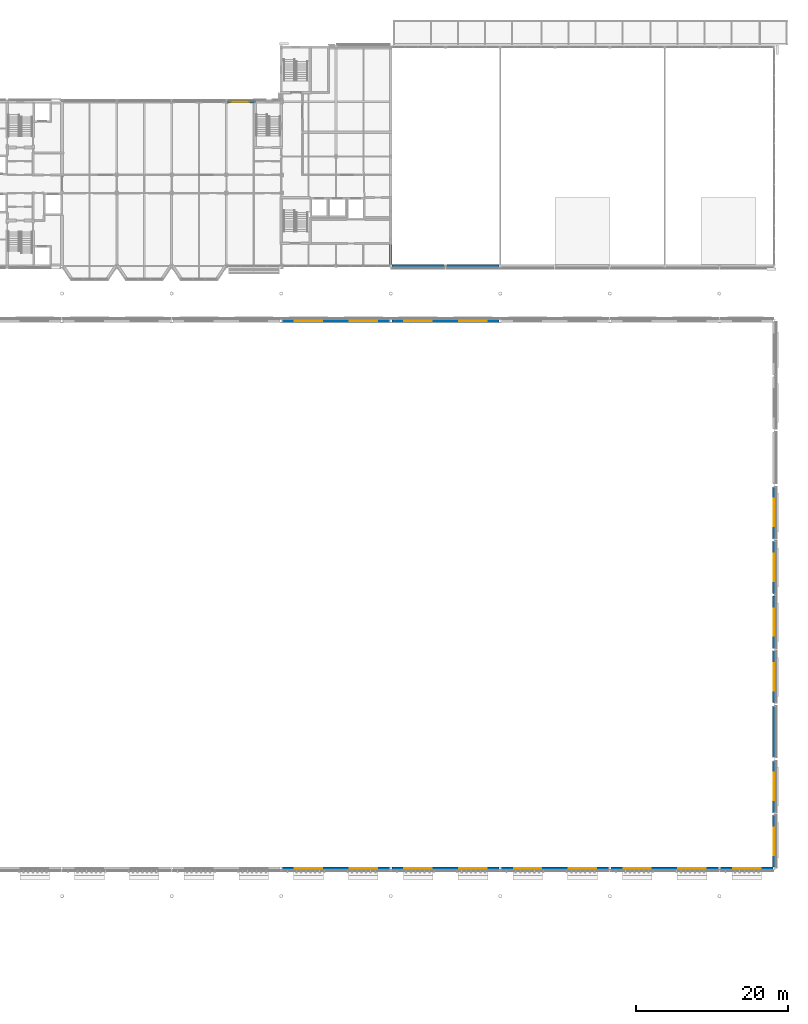
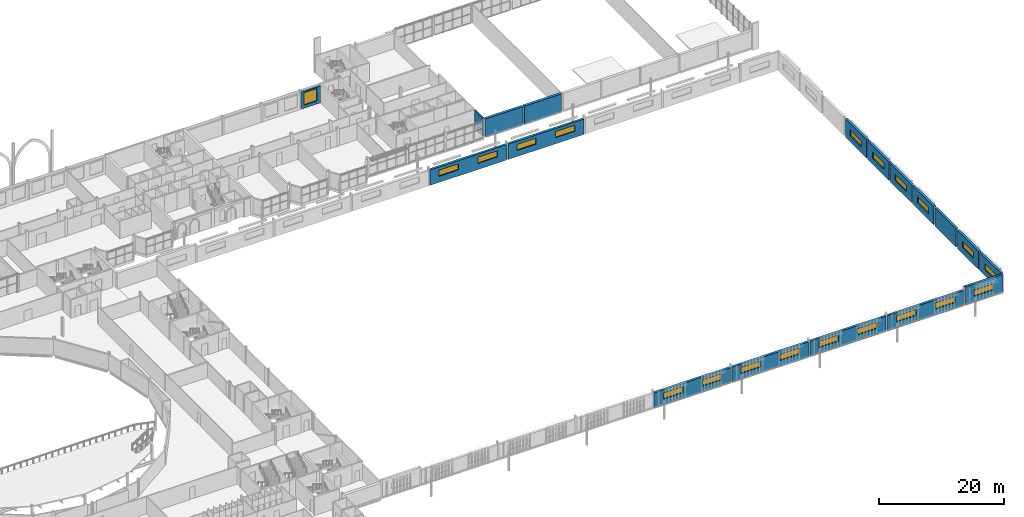
# One storey, part 77 of 124: 20 windows, 18 walls, 20 openings.
"""IFC4 building model written with IfcOpenShell, lengths in metres."""

from ifc_helpers import new_model, si_unit, direction, frame, frame_2d, origin, place, context, subcontext, project, spatial, rectangle, extrude, material, layer, layer_set, type_object, element, fill, save


model = new_model("IFC4")

# Units and contexts
model_context = context("Model", 3, precision=1e-05, world=origin(), true_north=direction((0.0, 1.0)))
body_context = subcontext(model_context, "Body", "Model", "MODEL_VIEW")
ifc_project = project(units=[si_unit("LENGTHUNIT", "METRE"), si_unit("AREAUNIT", "SQUARE_METRE"), si_unit("VOLUMEUNIT", "CUBIC_METRE"), si_unit("PLANEANGLEUNIT", "RADIAN"), si_unit("MASSUNIT", "GRAM", prefix="KILO")], contexts=[model_context])

# Site, building, storey
site_placement = place(None, origin())
site = spatial("IfcSite", under=ifc_project, at=site_placement, CompositionType="ELEMENT")
building_placement = place(site_placement, origin())
building = spatial("IfcBuilding", under=site, at=building_placement, Name="Kupolbacken Congress Centre", CompositionType="ELEMENT")
storey_placement = place(building_placement, frame((0.0, 0.0, 10.800048828125)))
storey = spatial("IfcBuildingStorey", under=building, at=storey_placement, Name="L03", CompositionType="ELEMENT", Elevation=10.800048828125)

# Wall, opening, window
ifc_material_1 = material(Name="Limestone", Category="masonry")
ifc_layer_1 = layer(ifc_material_1, 0.1201171875)
ifc_material_2 = material(Name="Air cavity", Category="air")
ifc_layer_2 = layer(ifc_material_2, 0.0400390625, ventilated=True)
ifc_material_3 = material(Name="Mineral wool", Category="insulation")
ifc_layer_3 = layer(ifc_material_3, 0.169921875)
ifc_material_4 = material(Name="Steel studs", Category="metal")
ifc_layer_4 = layer(ifc_material_4, 0.050048828125)
ifc_layer_set_1 = layer_set([ifc_layer_1, ifc_layer_2, ifc_layer_3, ifc_layer_4], Name="Limestone / Mineral wool / Steel studs")
wall_type_1 = type_object("IfcWallType", Name="EW03 external cavity wall 380", PredefinedType="SOLIDWALL", material=ifc_layer_set_1)
wall_1_placement = place(storey_placement, frame((133.39990234375, 144.0, 0.0), z_axis=(0.0, 0.0, 1.0), x_axis=(-1.0, 0.0, 0.0)))
wall_1 = element("IfcWall", 1, at=wall_1_placement, inside=storey, type_object=wall_type_1, Name="E/T/N/L03/033", PredefinedType="SOLIDWALL", context=body_context, shape_type="SweptSolid", body=[
    extrude(rectangle(XDim=3.646484375, YDim=0.3798828125, at=frame_2d((1.8232421875, 0.0))), origin(), (0.0, 0.0, 1.0), 3.260009765625),
])
opening_1_placement = place(wall_1_placement, frame((0.800048828125, 0.0, 0.60009765625)))
opening_1 = element("IfcOpeningElement", 2, at=opening_1_placement, cuts=wall_1, Name="Opening W30", PredefinedType="OPENING", context=body_context, shape_type="SweptSolid", body=[
    extrude(rectangle(XDim=2.39990234375, YDim=2.39990234375, at=frame_2d((1.199951171875, 1.199951171875))), frame((0.0, 0.199951171875, 0.0), z_axis=(0.0, -1.0, 0.0), x_axis=(1.0, 0.0, 0.0)), (0.0, 0.0, 1.0), 0.39990234375),
])
ifc_material_5 = material(Name="Aluminium frame with double or triple glazing", Category="aluminium")
window_type_1 = type_object("IfcWindowType", Name="W30 window 2400x2400", PartitioningType="DOUBLE_PANEL_VERTICAL", PredefinedType="WINDOW", material=ifc_material_5)
window_1_placement = place(opening_1_placement, origin())
window_1 = element("IfcWindow", 3, at=window_1_placement, inside=storey, type_object=window_type_1, Name="E/T/N/L03/033/W1", OverallHeight=2.39990234375, OverallWidth=2.39990234375, PartitioningType="SINGLE_PANEL", PredefinedType="WINDOW", context=body_context, shape_type="SweptSolid", body=[
    extrude(rectangle(XDim=2.39990234375, YDim=2.39990234375, at=frame_2d((1.199951171875, 1.199951171875))), frame((0.0, 0.030029296875, 0.0), z_axis=(0.0, -1.0, 0.0), x_axis=(1.0, 0.0, 0.0)), (0.0, 0.0, 1.0), 0.06005859375),
])
fill(opening_1, window_1)

ifc_material_6 = material(Name="Brick", Category="masonry")
ifc_layer_5 = layer(ifc_material_6, 0.10791015625)
ifc_layer_6 = layer(ifc_material_2, 0.0400390625, ventilated=True)
ifc_layer_7 = layer(ifc_material_3, 0.152099609375)
ifc_material_7 = material(Name="Concrete block", Category="masonry")
ifc_layer_8 = layer(ifc_material_7, 0.1201171875)
ifc_layer_set_2 = layer_set([ifc_layer_5, ifc_layer_6, ifc_layer_7, ifc_layer_8], Name="Brick / Mineral wool / Concrete block")
wall_type_2 = type_object("IfcWallType", Name="EW04 external cavity wall 420", PredefinedType="SOLIDWALL", material=ifc_layer_set_2)
wall_2_placement = place(storey_placement, frame((201.60009765625, 43.409912109375, 0.0), z_axis=(0.0, 0.0, 1.0), x_axis=(0.0, 1.0, 0.0)))
wall_2 = element("IfcWall", 4, at=wall_2_placement, inside=storey, type_object=wall_type_2, Name="E/H/E/L03/343", PredefinedType="SOLIDWALL", context=body_context, shape_type="SweptSolid", body=[
    extrude(rectangle(XDim=6.844970703125, YDim=0.419921875, at=frame_2d((3.42236328125, 0.0))), origin(), (0.0, 0.0, 1.0), 3.599853515625),
])
opening_2_placement = place(wall_2_placement, frame((1.590087890625, 0.0, 1.199951171875)))
opening_2 = element("IfcOpeningElement", 5, at=opening_2_placement, cuts=wall_2, Name="Opening W12", PredefinedType="OPENING", context=body_context, shape_type="SweptSolid", body=[
    extrude(rectangle(XDim=3.60009765625, YDim=1.199951171875, at=frame_2d((1.800048828125, 0.60009765625))), frame((0.0, 0.219970703125, 0.0), z_axis=(0.0, -1.0, 0.0), x_axis=(1.0, 0.0, 0.0)), (0.0, 0.0, 1.0), 0.43994140625),
])
ifc_material_8 = material(Name="Aluminium frame with double or triple glazing", Category="aluminium")
window_type_2 = type_object("IfcWindowType", Name="W12 window 3600x1200", PartitioningType="TRIPLE_PANEL_VERTICAL", PredefinedType="WINDOW", material=ifc_material_8)
window_2_placement = place(opening_2_placement, origin())
window_2 = element("IfcWindow", 6, at=window_2_placement, inside=storey, type_object=window_type_2, Name="E/H/E/L03/343/W1", OverallHeight=1.199951171875, OverallWidth=3.60009765625, PartitioningType="SINGLE_PANEL", PredefinedType="WINDOW", context=body_context, shape_type="SweptSolid", body=[
    extrude(rectangle(XDim=3.60009765625, YDim=1.199951171875, at=frame_2d((1.800048828125, 0.60009765625))), frame((0.0, 0.030029296875, 0.0), z_axis=(0.0, -1.0, 0.0), x_axis=(1.0, 0.0, 0.0)), (0.0, 0.0, 1.0), 0.06005859375),
])
fill(opening_2, window_2)

wall_3_placement = place(storey_placement, frame((201.60009765625, 50.544921875, 0.0), z_axis=(0.0, 0.0, 1.0), x_axis=(0.0, 1.0, 0.0)))
wall_3 = element("IfcWall", 7, at=wall_3_placement, inside=storey, type_object=wall_type_2, Name="E/H/E/L03/344", PredefinedType="SOLIDWALL", context=body_context, shape_type="SweptSolid", body=[
    extrude(rectangle(XDim=6.81005859375, YDim=0.419921875, at=frame_2d((3.405029296875, 0.0))), origin(), (0.0, 0.0, 1.0), 3.599853515625),
])
opening_3_placement = place(wall_3_placement, frame((1.655029296875, 0.0, 1.199951171875)))
opening_3 = element("IfcOpeningElement", 8, at=opening_3_placement, cuts=wall_3, Name="Opening W12", PredefinedType="OPENING", context=body_context, shape_type="SweptSolid", body=[
    extrude(rectangle(XDim=3.60009765625, YDim=1.199951171875, at=frame_2d((1.800048828125, 0.60009765625))), frame((0.0, 0.219970703125, 0.0), z_axis=(0.0, -1.0, 0.0), x_axis=(1.0, 0.0, 0.0)), (0.0, 0.0, 1.0), 0.43994140625),
])
window_3_placement = place(opening_3_placement, origin())
window_3 = element("IfcWindow", 9, at=window_3_placement, inside=storey, type_object=window_type_2, Name="E/H/E/L03/344/W1", OverallHeight=1.199951171875, OverallWidth=3.60009765625, PartitioningType="SINGLE_PANEL", PredefinedType="WINDOW", context=body_context, shape_type="SweptSolid", body=[
    extrude(rectangle(XDim=3.60009765625, YDim=1.199951171875, at=frame_2d((1.800048828125, 0.60009765625))), frame((0.0, 0.030029296875, 0.0), z_axis=(0.0, -1.0, 0.0), x_axis=(1.0, 0.0, 0.0)), (0.0, 0.0, 1.0), 0.06005859375),
])
fill(opening_3, window_3)

# Wall
wall_4_placement = place(storey_placement, frame((201.60009765625, 57.844970703125, 0.0), z_axis=(0.0, 0.0, 1.0), x_axis=(0.0, 1.0, 0.0)))
element("IfcWall", 10, at=wall_4_placement, inside=storey, type_object=wall_type_2, Name="E/H/E/L03/345", PredefinedType="SOLIDWALL", context=body_context, shape_type="SweptSolid", body=[
    extrude(rectangle(XDim=6.7099609375, YDim=0.419921875, at=frame_2d((3.35498046875, 0.0))), origin(), (0.0, 0.0, 1.0), 3.599853515625),
])

# Wall, opening, window
wall_5_placement = place(storey_placement, frame((201.60009765625, 65.044921875, 0.0), z_axis=(0.0, 0.0, 1.0), x_axis=(0.0, 1.0, 0.0)))
wall_5 = element("IfcWall", 11, at=wall_5_placement, inside=storey, type_object=wall_type_2, Name="E/H/E/L03/346", PredefinedType="SOLIDWALL", context=body_context, shape_type="SweptSolid", body=[
    extrude(rectangle(XDim=6.81005859375, YDim=0.419921875, at=frame_2d((3.405029296875, 0.0))), origin(), (0.0, 0.0, 1.0), 3.599853515625),
])
opening_4_placement = place(wall_5_placement, frame((1.554931640625, 0.0, 1.199951171875)))
opening_4 = element("IfcOpeningElement", 12, at=opening_4_placement, cuts=wall_5, Name="Opening W12", PredefinedType="OPENING", context=body_context, shape_type="SweptSolid", body=[
    extrude(rectangle(XDim=3.60009765625, YDim=1.199951171875, at=frame_2d((1.800048828125, 0.60009765625))), frame((0.0, 0.219970703125, 0.0), z_axis=(0.0, -1.0, 0.0), x_axis=(1.0, 0.0, 0.0)), (0.0, 0.0, 1.0), 0.43994140625),
])
window_4_placement = place(opening_4_placement, origin())
window_4 = element("IfcWindow", 13, at=window_4_placement, inside=storey, type_object=window_type_2, Name="E/H/E/L03/346/W1", OverallHeight=1.199951171875, OverallWidth=3.60009765625, PartitioningType="SINGLE_PANEL", PredefinedType="WINDOW", context=body_context, shape_type="SweptSolid", body=[
    extrude(rectangle(XDim=3.60009765625, YDim=1.199951171875, at=frame_2d((1.800048828125, 0.60009765625))), frame((0.0, 0.030029296875, 0.0), z_axis=(0.0, -1.0, 0.0), x_axis=(1.0, 0.0, 0.0)), (0.0, 0.0, 1.0), 0.06005859375),
])
fill(opening_4, window_4)

wall_6_placement = place(storey_placement, frame((201.60009765625, 72.14501953125, 0.0), z_axis=(0.0, 0.0, 1.0), x_axis=(0.0, 1.0, 0.0)))
wall_6 = element("IfcWall", 14, at=wall_6_placement, inside=storey, type_object=wall_type_2, Name="E/H/E/L03/347", PredefinedType="SOLIDWALL", context=body_context, shape_type="SweptSolid", body=[
    extrude(rectangle(XDim=6.909912109375, YDim=0.419921875, at=frame_2d((3.455078125, 0.0))), origin(), (0.0, 0.0, 1.0), 3.599853515625),
])
opening_5_placement = place(wall_6_placement, frame((1.655029296875, 0.0, 1.199951171875)))
opening_5 = element("IfcOpeningElement", 15, at=opening_5_placement, cuts=wall_6, Name="Opening W12", PredefinedType="OPENING", context=body_context, shape_type="SweptSolid", body=[
    extrude(rectangle(XDim=3.60009765625, YDim=1.199951171875, at=frame_2d((1.800048828125, 0.60009765625))), frame((0.0, 0.219970703125, 0.0), z_axis=(0.0, -1.0, 0.0), x_axis=(1.0, 0.0, 0.0)), (0.0, 0.0, 1.0), 0.43994140625),
])
window_5_placement = place(opening_5_placement, origin())
window_5 = element("IfcWindow", 16, at=window_5_placement, inside=storey, type_object=window_type_2, Name="E/H/E/L03/347/W1", OverallHeight=1.199951171875, OverallWidth=3.60009765625, PartitioningType="SINGLE_PANEL", PredefinedType="WINDOW", context=body_context, shape_type="SweptSolid", body=[
    extrude(rectangle(XDim=3.60009765625, YDim=1.199951171875, at=frame_2d((1.800048828125, 0.60009765625))), frame((0.0, 0.030029296875, 0.0), z_axis=(0.0, -1.0, 0.0), x_axis=(1.0, 0.0, 0.0)), (0.0, 0.0, 1.0), 0.06005859375),
])
fill(opening_5, window_5)

wall_7_placement = place(storey_placement, frame((201.60009765625, 79.344970703125, 0.0), z_axis=(0.0, 0.0, 1.0), x_axis=(0.0, 1.0, 0.0)))
wall_7 = element("IfcWall", 17, at=wall_7_placement, inside=storey, type_object=wall_type_2, Name="E/H/E/L03/348", PredefinedType="SOLIDWALL", context=body_context, shape_type="SweptSolid", body=[
    extrude(rectangle(XDim=6.909912109375, YDim=0.419921875, at=frame_2d((3.455078125, 0.0))), origin(), (0.0, 0.0, 1.0), 3.599853515625),
])
opening_6_placement = place(wall_7_placement, frame((1.655029296875, 0.0, 1.199951171875)))
opening_6 = element("IfcOpeningElement", 18, at=opening_6_placement, cuts=wall_7, Name="Opening W12", PredefinedType="OPENING", context=body_context, shape_type="SweptSolid", body=[
    extrude(rectangle(XDim=3.60009765625, YDim=1.199951171875, at=frame_2d((1.800048828125, 0.60009765625))), frame((0.0, 0.219970703125, 0.0), z_axis=(0.0, -1.0, 0.0), x_axis=(1.0, 0.0, 0.0)), (0.0, 0.0, 1.0), 0.43994140625),
])
window_6_placement = place(opening_6_placement, origin())
window_6 = element("IfcWindow", 19, at=window_6_placement, inside=storey, type_object=window_type_2, Name="E/H/E/L03/348/W1", OverallHeight=1.199951171875, OverallWidth=3.60009765625, PartitioningType="SINGLE_PANEL", PredefinedType="WINDOW", context=body_context, shape_type="SweptSolid", body=[
    extrude(rectangle(XDim=3.60009765625, YDim=1.199951171875, at=frame_2d((1.800048828125, 0.60009765625))), frame((0.0, 0.030029296875, 0.0), z_axis=(0.0, -1.0, 0.0), x_axis=(1.0, 0.0, 0.0)), (0.0, 0.0, 1.0), 0.06005859375),
])
fill(opening_6, window_6)

wall_8_placement = place(storey_placement, frame((201.60009765625, 86.544921875, 0.0), z_axis=(0.0, 0.0, 1.0), x_axis=(0.0, 1.0, 0.0)))
wall_8 = element("IfcWall", 20, at=wall_8_placement, inside=storey, type_object=wall_type_2, Name="E/H/E/L03/349", PredefinedType="SOLIDWALL", context=body_context, shape_type="SweptSolid", body=[
    extrude(rectangle(XDim=6.81005859375, YDim=0.419921875, at=frame_2d((3.405029296875, 0.0))), origin(), (0.0, 0.0, 1.0), 3.599853515625),
])
opening_7_placement = place(wall_8_placement, frame((1.655029296875, 0.0, 1.199951171875)))
opening_7 = element("IfcOpeningElement", 21, at=opening_7_placement, cuts=wall_8, Name="Opening W12", PredefinedType="OPENING", context=body_context, shape_type="SweptSolid", body=[
    extrude(rectangle(XDim=3.60009765625, YDim=1.199951171875, at=frame_2d((1.800048828125, 0.60009765625))), frame((0.0, 0.219970703125, 0.0), z_axis=(0.0, -1.0, 0.0), x_axis=(1.0, 0.0, 0.0)), (0.0, 0.0, 1.0), 0.43994140625),
])
window_7_placement = place(opening_7_placement, origin())
window_7 = element("IfcWindow", 22, at=window_7_placement, inside=storey, type_object=window_type_2, Name="E/H/E/L03/349/W1", OverallHeight=1.199951171875, OverallWidth=3.60009765625, PartitioningType="SINGLE_PANEL", PredefinedType="WINDOW", context=body_context, shape_type="SweptSolid", body=[
    extrude(rectangle(XDim=3.60009765625, YDim=1.199951171875, at=frame_2d((1.800048828125, 0.60009765625))), frame((0.0, 0.030029296875, 0.0), z_axis=(0.0, -1.0, 0.0), x_axis=(1.0, 0.0, 0.0)), (0.0, 0.0, 1.0), 0.06005859375),
])
fill(opening_7, window_7)

# Wall, openings, windows
wall_9_placement = place(storey_placement, frame((165.449951171875, 115.199951171875, 0.0), z_axis=(0.0, 0.0, 1.0), x_axis=(-1.0, 0.0, 0.0)))
wall_9 = element("IfcWall", 23, at=wall_9_placement, inside=storey, type_object=wall_type_2, Name="E/H/N/L03/356", PredefinedType="SOLIDWALL", context=body_context, shape_type="SweptSolid", body=[
    extrude(rectangle(XDim=14.099853515625, YDim=0.419921875, at=frame_2d((7.0498046875, 0.0))), origin(), (0.0, 0.0, 1.0), 2.9990234375),
])
opening_8_placement = place(wall_9_placement, frame((8.85009765625, 0.0, 1.199951171875)))
opening_8 = element("IfcOpeningElement", 24, at=opening_8_placement, cuts=wall_9, Name="Opening W12", PredefinedType="OPENING", context=body_context, shape_type="SweptSolid", body=[
    extrude(rectangle(XDim=3.60009765625, YDim=1.199951171875, at=frame_2d((1.800048828125, 0.60009765625))), frame((0.0, 0.219970703125, 0.0), z_axis=(0.0, -1.0, 0.0), x_axis=(1.0, 0.0, 0.0)), (0.0, 0.0, 1.0), 0.43994140625),
])
opening_9_placement = place(wall_9_placement, frame((1.64990234375, 0.0, 1.199951171875)))
opening_9 = element("IfcOpeningElement", 25, at=opening_9_placement, cuts=wall_9, Name="Opening W12", PredefinedType="OPENING", context=body_context, shape_type="SweptSolid", body=[
    extrude(rectangle(XDim=3.60009765625, YDim=1.199951171875, at=frame_2d((1.800048828125, 0.60009765625))), frame((0.0, 0.219970703125, 0.0), z_axis=(0.0, -1.0, 0.0), x_axis=(1.0, 0.0, 0.0)), (0.0, 0.0, 1.0), 0.43994140625),
])
window_8_placement = place(opening_8_placement, origin())
window_8 = element("IfcWindow", 26, at=window_8_placement, inside=storey, type_object=window_type_2, Name="E/H/N/L03/356/W1", OverallHeight=1.199951171875, OverallWidth=3.60009765625, PartitioningType="SINGLE_PANEL", PredefinedType="WINDOW", context=body_context, shape_type="SweptSolid", body=[
    extrude(rectangle(XDim=3.60009765625, YDim=1.199951171875, at=frame_2d((1.800048828125, 0.60009765625))), frame((0.0, 0.030029296875, 0.0), z_axis=(0.0, -1.0, 0.0), x_axis=(1.0, 0.0, 0.0)), (0.0, 0.0, 1.0), 0.06005859375),
])
fill(opening_8, window_8)
window_9_placement = place(opening_9_placement, origin())
window_9 = element("IfcWindow", 27, at=window_9_placement, inside=storey, type_object=window_type_2, Name="E/H/N/L03/356/W2", OverallHeight=1.199951171875, OverallWidth=3.60009765625, PartitioningType="SINGLE_PANEL", PredefinedType="WINDOW", context=body_context, shape_type="SweptSolid", body=[
    extrude(rectangle(XDim=3.60009765625, YDim=1.199951171875, at=frame_2d((1.800048828125, 0.60009765625))), frame((0.0, 0.030029296875, 0.0), z_axis=(0.0, -1.0, 0.0), x_axis=(1.0, 0.0, 0.0)), (0.0, 0.0, 1.0), 0.06005859375),
])
fill(opening_9, window_9)

wall_10_placement = place(storey_placement, frame((151.050048828125, 115.199951171875, 0.0), z_axis=(0.0, 0.0, 1.0), x_axis=(-1.0, 0.0, 0.0)))
wall_10 = element("IfcWall", 28, at=wall_10_placement, inside=storey, type_object=wall_type_2, Name="E/H/N/L03/357", PredefinedType="SOLIDWALL", context=body_context, shape_type="SweptSolid", body=[
    extrude(rectangle(XDim=14.10009765625, YDim=0.419921875, at=frame_2d((7.050048828125, 0.0))), origin(), (0.0, 0.0, 1.0), 2.9990234375),
])
opening_10_placement = place(wall_10_placement, frame((8.85009765625, 0.0, 1.199951171875)))
opening_10 = element("IfcOpeningElement", 29, at=opening_10_placement, cuts=wall_10, Name="Opening W12", PredefinedType="OPENING", context=body_context, shape_type="SweptSolid", body=[
    extrude(rectangle(XDim=3.60009765625, YDim=1.199951171875, at=frame_2d((1.800048828125, 0.60009765625))), frame((0.0, 0.219970703125, 0.0), z_axis=(0.0, -1.0, 0.0), x_axis=(1.0, 0.0, 0.0)), (0.0, 0.0, 1.0), 0.43994140625),
])
opening_11_placement = place(wall_10_placement, frame((1.64990234375, 0.0, 1.199951171875)))
opening_11 = element("IfcOpeningElement", 30, at=opening_11_placement, cuts=wall_10, Name="Opening W12", PredefinedType="OPENING", context=body_context, shape_type="SweptSolid", body=[
    extrude(rectangle(XDim=3.60009765625, YDim=1.199951171875, at=frame_2d((1.800048828125, 0.60009765625))), frame((0.0, 0.219970703125, 0.0), z_axis=(0.0, -1.0, 0.0), x_axis=(1.0, 0.0, 0.0)), (0.0, 0.0, 1.0), 0.43994140625),
])
window_10_placement = place(opening_10_placement, origin())
window_10 = element("IfcWindow", 31, at=window_10_placement, inside=storey, type_object=window_type_2, Name="E/H/N/L03/357/W1", OverallHeight=1.199951171875, OverallWidth=3.60009765625, PartitioningType="SINGLE_PANEL", PredefinedType="WINDOW", context=body_context, shape_type="SweptSolid", body=[
    extrude(rectangle(XDim=3.60009765625, YDim=1.199951171875, at=frame_2d((1.800048828125, 0.60009765625))), frame((0.0, 0.030029296875, 0.0), z_axis=(0.0, -1.0, 0.0), x_axis=(1.0, 0.0, 0.0)), (0.0, 0.0, 1.0), 0.06005859375),
])
fill(opening_10, window_10)
window_11_placement = place(opening_11_placement, origin())
window_11 = element("IfcWindow", 32, at=window_11_placement, inside=storey, type_object=window_type_2, Name="E/H/N/L03/357/W2", OverallHeight=1.199951171875, OverallWidth=3.60009765625, PartitioningType="SINGLE_PANEL", PredefinedType="WINDOW", context=body_context, shape_type="SweptSolid", body=[
    extrude(rectangle(XDim=3.60009765625, YDim=1.199951171875, at=frame_2d((1.800048828125, 0.60009765625))), frame((0.0, 0.030029296875, 0.0), z_axis=(0.0, -1.0, 0.0), x_axis=(1.0, 0.0, 0.0)), (0.0, 0.0, 1.0), 0.06005859375),
])
fill(opening_11, window_11)

wall_11_placement = place(storey_placement, frame((136.949951171875, 43.199951171875, 0.0), z_axis=(0.0, 0.0, 1.0), x_axis=(1.0, 0.0, 0.0)))
wall_11 = element("IfcWall", 33, at=wall_11_placement, inside=storey, type_object=wall_type_2, Name="E/H/S/L03/366", PredefinedType="SOLIDWALL", context=body_context, shape_type="SweptSolid", body=[
    extrude(rectangle(XDim=14.10009765625, YDim=0.419921875, at=frame_2d((7.050048828125, 0.0))), origin(), (0.0, 0.0, 1.0), 2.9990234375),
])
opening_12_placement = place(wall_11_placement, frame((1.64990234375, 0.0, 1.199951171875)))
opening_12 = element("IfcOpeningElement", 34, at=opening_12_placement, cuts=wall_11, Name="Opening W12", PredefinedType="OPENING", context=body_context, shape_type="SweptSolid", body=[
    extrude(rectangle(XDim=3.60009765625, YDim=1.199951171875, at=frame_2d((1.800048828125, 0.60009765625))), frame((0.0, 0.219970703125, 0.0), z_axis=(0.0, -1.0, 0.0), x_axis=(1.0, 0.0, 0.0)), (0.0, 0.0, 1.0), 0.43994140625),
])
opening_13_placement = place(wall_11_placement, frame((8.85009765625, 0.0, 1.199951171875)))
opening_13 = element("IfcOpeningElement", 35, at=opening_13_placement, cuts=wall_11, Name="Opening W12", PredefinedType="OPENING", context=body_context, shape_type="SweptSolid", body=[
    extrude(rectangle(XDim=3.60009765625, YDim=1.199951171875, at=frame_2d((1.800048828125, 0.60009765625))), frame((0.0, 0.219970703125, 0.0), z_axis=(0.0, -1.0, 0.0), x_axis=(1.0, 0.0, 0.0)), (0.0, 0.0, 1.0), 0.43994140625),
])
window_12_placement = place(opening_12_placement, origin())
window_12 = element("IfcWindow", 36, at=window_12_placement, inside=storey, type_object=window_type_2, Name="E/H/S/L03/366/W1", OverallHeight=1.199951171875, OverallWidth=3.60009765625, PartitioningType="SINGLE_PANEL", PredefinedType="WINDOW", context=body_context, shape_type="SweptSolid", body=[
    extrude(rectangle(XDim=3.60009765625, YDim=1.199951171875, at=frame_2d((1.800048828125, 0.60009765625))), frame((0.0, 0.030029296875, 0.0), z_axis=(0.0, -1.0, 0.0), x_axis=(1.0, 0.0, 0.0)), (0.0, 0.0, 1.0), 0.06005859375),
])
fill(opening_12, window_12)
window_13_placement = place(opening_13_placement, origin())
window_13 = element("IfcWindow", 37, at=window_13_placement, inside=storey, type_object=window_type_2, Name="E/H/S/L03/366/W2", OverallHeight=1.199951171875, OverallWidth=3.60009765625, PartitioningType="SINGLE_PANEL", PredefinedType="WINDOW", context=body_context, shape_type="SweptSolid", body=[
    extrude(rectangle(XDim=3.60009765625, YDim=1.199951171875, at=frame_2d((1.800048828125, 0.60009765625))), frame((0.0, 0.030029296875, 0.0), z_axis=(0.0, -1.0, 0.0), x_axis=(1.0, 0.0, 0.0)), (0.0, 0.0, 1.0), 0.06005859375),
])
fill(opening_13, window_13)

wall_12_placement = place(storey_placement, frame((151.35009765625, 43.199951171875, 0.0), z_axis=(0.0, 0.0, 1.0), x_axis=(1.0, 0.0, 0.0)))
wall_12 = element("IfcWall", 38, at=wall_12_placement, inside=storey, type_object=wall_type_2, Name="E/H/S/L03/367", PredefinedType="SOLIDWALL", context=body_context, shape_type="SweptSolid", body=[
    extrude(rectangle(XDim=14.099853515625, YDim=0.419921875, at=frame_2d((7.0498046875, 0.0))), origin(), (0.0, 0.0, 1.0), 2.9990234375),
])
opening_14_placement = place(wall_12_placement, frame((1.64990234375, 0.0, 1.199951171875)))
opening_14 = element("IfcOpeningElement", 39, at=opening_14_placement, cuts=wall_12, Name="Opening W12", PredefinedType="OPENING", context=body_context, shape_type="SweptSolid", body=[
    extrude(rectangle(XDim=3.60009765625, YDim=1.199951171875, at=frame_2d((1.800048828125, 0.60009765625))), frame((0.0, 0.219970703125, 0.0), z_axis=(0.0, -1.0, 0.0), x_axis=(1.0, 0.0, 0.0)), (0.0, 0.0, 1.0), 0.43994140625),
])
opening_15_placement = place(wall_12_placement, frame((8.85009765625, 0.0, 1.199951171875)))
opening_15 = element("IfcOpeningElement", 40, at=opening_15_placement, cuts=wall_12, Name="Opening W12", PredefinedType="OPENING", context=body_context, shape_type="SweptSolid", body=[
    extrude(rectangle(XDim=3.60009765625, YDim=1.199951171875, at=frame_2d((1.800048828125, 0.60009765625))), frame((0.0, 0.219970703125, 0.0), z_axis=(0.0, -1.0, 0.0), x_axis=(1.0, 0.0, 0.0)), (0.0, 0.0, 1.0), 0.43994140625),
])
window_14_placement = place(opening_14_placement, origin())
window_14 = element("IfcWindow", 41, at=window_14_placement, inside=storey, type_object=window_type_2, Name="E/H/S/L03/367/W1", OverallHeight=1.199951171875, OverallWidth=3.60009765625, PartitioningType="SINGLE_PANEL", PredefinedType="WINDOW", context=body_context, shape_type="SweptSolid", body=[
    extrude(rectangle(XDim=3.60009765625, YDim=1.199951171875, at=frame_2d((1.800048828125, 0.60009765625))), frame((0.0, 0.030029296875, 0.0), z_axis=(0.0, -1.0, 0.0), x_axis=(1.0, 0.0, 0.0)), (0.0, 0.0, 1.0), 0.06005859375),
])
fill(opening_14, window_14)
window_15_placement = place(opening_15_placement, origin())
window_15 = element("IfcWindow", 42, at=window_15_placement, inside=storey, type_object=window_type_2, Name="E/H/S/L03/367/W2", OverallHeight=1.199951171875, OverallWidth=3.60009765625, PartitioningType="SINGLE_PANEL", PredefinedType="WINDOW", context=body_context, shape_type="SweptSolid", body=[
    extrude(rectangle(XDim=3.60009765625, YDim=1.199951171875, at=frame_2d((1.800048828125, 0.60009765625))), frame((0.0, 0.030029296875, 0.0), z_axis=(0.0, -1.0, 0.0), x_axis=(1.0, 0.0, 0.0)), (0.0, 0.0, 1.0), 0.06005859375),
])
fill(opening_15, window_15)

wall_13_placement = place(storey_placement, frame((165.75, 43.199951171875, 0.0), z_axis=(0.0, 0.0, 1.0), x_axis=(1.0, 0.0, 0.0)))
wall_13 = element("IfcWall", 43, at=wall_13_placement, inside=storey, type_object=wall_type_2, Name="E/H/S/L03/368", PredefinedType="SOLIDWALL", context=body_context, shape_type="SweptSolid", body=[
    extrude(rectangle(XDim=14.10009765625, YDim=0.419921875, at=frame_2d((7.050048828125, 0.0))), origin(), (0.0, 0.0, 1.0), 2.9990234375),
])
opening_16_placement = place(wall_13_placement, frame((1.64990234375, 0.0, 1.199951171875)))
opening_16 = element("IfcOpeningElement", 44, at=opening_16_placement, cuts=wall_13, Name="Opening W12", PredefinedType="OPENING", context=body_context, shape_type="SweptSolid", body=[
    extrude(rectangle(XDim=3.60009765625, YDim=1.199951171875, at=frame_2d((1.800048828125, 0.60009765625))), frame((0.0, 0.219970703125, 0.0), z_axis=(0.0, -1.0, 0.0), x_axis=(1.0, 0.0, 0.0)), (0.0, 0.0, 1.0), 0.43994140625),
])
opening_17_placement = place(wall_13_placement, frame((8.85009765625, 0.0, 1.199951171875)))
opening_17 = element("IfcOpeningElement", 45, at=opening_17_placement, cuts=wall_13, Name="Opening W12", PredefinedType="OPENING", context=body_context, shape_type="SweptSolid", body=[
    extrude(rectangle(XDim=3.60009765625, YDim=1.199951171875, at=frame_2d((1.800048828125, 0.60009765625))), frame((0.0, 0.219970703125, 0.0), z_axis=(0.0, -1.0, 0.0), x_axis=(1.0, 0.0, 0.0)), (0.0, 0.0, 1.0), 0.43994140625),
])
window_16_placement = place(opening_16_placement, origin())
window_16 = element("IfcWindow", 46, at=window_16_placement, inside=storey, type_object=window_type_2, Name="E/H/S/L03/368/W1", OverallHeight=1.199951171875, OverallWidth=3.60009765625, PartitioningType="SINGLE_PANEL", PredefinedType="WINDOW", context=body_context, shape_type="SweptSolid", body=[
    extrude(rectangle(XDim=3.60009765625, YDim=1.199951171875, at=frame_2d((1.800048828125, 0.60009765625))), frame((0.0, 0.030029296875, 0.0), z_axis=(0.0, -1.0, 0.0), x_axis=(1.0, 0.0, 0.0)), (0.0, 0.0, 1.0), 0.06005859375),
])
fill(opening_16, window_16)
window_17_placement = place(opening_17_placement, origin())
window_17 = element("IfcWindow", 47, at=window_17_placement, inside=storey, type_object=window_type_2, Name="E/H/S/L03/368/W2", OverallHeight=1.199951171875, OverallWidth=3.60009765625, PartitioningType="SINGLE_PANEL", PredefinedType="WINDOW", context=body_context, shape_type="SweptSolid", body=[
    extrude(rectangle(XDim=3.60009765625, YDim=1.199951171875, at=frame_2d((1.800048828125, 0.60009765625))), frame((0.0, 0.030029296875, 0.0), z_axis=(0.0, -1.0, 0.0), x_axis=(1.0, 0.0, 0.0)), (0.0, 0.0, 1.0), 0.06005859375),
])
fill(opening_17, window_17)

wall_14_placement = place(storey_placement, frame((180.14990234375, 43.199951171875, 0.0), z_axis=(0.0, 0.0, 1.0), x_axis=(1.0, 0.0, 0.0)))
wall_14 = element("IfcWall", 48, at=wall_14_placement, inside=storey, type_object=wall_type_2, Name="E/H/S/L03/369", PredefinedType="SOLIDWALL", context=body_context, shape_type="SweptSolid", body=[
    extrude(rectangle(XDim=14.10009765625, YDim=0.419921875, at=frame_2d((7.050048828125, 0.0))), origin(), (0.0, 0.0, 1.0), 2.9990234375),
])
opening_18_placement = place(wall_14_placement, frame((1.64990234375, 0.0, 1.199951171875)))
opening_18 = element("IfcOpeningElement", 49, at=opening_18_placement, cuts=wall_14, Name="Opening W12", PredefinedType="OPENING", context=body_context, shape_type="SweptSolid", body=[
    extrude(rectangle(XDim=3.60009765625, YDim=1.199951171875, at=frame_2d((1.800048828125, 0.60009765625))), frame((0.0, 0.219970703125, 0.0), z_axis=(0.0, -1.0, 0.0), x_axis=(1.0, 0.0, 0.0)), (0.0, 0.0, 1.0), 0.43994140625),
])
opening_19_placement = place(wall_14_placement, frame((8.85009765625, 0.0, 1.199951171875)))
opening_19 = element("IfcOpeningElement", 50, at=opening_19_placement, cuts=wall_14, Name="Opening W12", PredefinedType="OPENING", context=body_context, shape_type="SweptSolid", body=[
    extrude(rectangle(XDim=3.60009765625, YDim=1.199951171875, at=frame_2d((1.800048828125, 0.60009765625))), frame((0.0, 0.219970703125, 0.0), z_axis=(0.0, -1.0, 0.0), x_axis=(1.0, 0.0, 0.0)), (0.0, 0.0, 1.0), 0.43994140625),
])
window_18_placement = place(opening_18_placement, origin())
window_18 = element("IfcWindow", 51, at=window_18_placement, inside=storey, type_object=window_type_2, Name="E/H/S/L03/369/W1", OverallHeight=1.199951171875, OverallWidth=3.60009765625, PartitioningType="SINGLE_PANEL", PredefinedType="WINDOW", context=body_context, shape_type="SweptSolid", body=[
    extrude(rectangle(XDim=3.60009765625, YDim=1.199951171875, at=frame_2d((1.800048828125, 0.60009765625))), frame((0.0, 0.030029296875, 0.0), z_axis=(0.0, -1.0, 0.0), x_axis=(1.0, 0.0, 0.0)), (0.0, 0.0, 1.0), 0.06005859375),
])
fill(opening_18, window_18)
window_19_placement = place(opening_19_placement, origin())
window_19 = element("IfcWindow", 52, at=window_19_placement, inside=storey, type_object=window_type_2, Name="E/H/S/L03/369/W2", OverallHeight=1.199951171875, OverallWidth=3.60009765625, PartitioningType="SINGLE_PANEL", PredefinedType="WINDOW", context=body_context, shape_type="SweptSolid", body=[
    extrude(rectangle(XDim=3.60009765625, YDim=1.199951171875, at=frame_2d((1.800048828125, 0.60009765625))), frame((0.0, 0.030029296875, 0.0), z_axis=(0.0, -1.0, 0.0), x_axis=(1.0, 0.0, 0.0)), (0.0, 0.0, 1.0), 0.06005859375),
])
fill(opening_19, window_19)

# Wall, opening, window
wall_15_placement = place(storey_placement, frame((194.550048828125, 43.199951171875, 0.0), z_axis=(0.0, 0.0, 1.0), x_axis=(1.0, 0.0, 0.0)))
wall_15 = element("IfcWall", 53, at=wall_15_placement, inside=storey, type_object=wall_type_2, Name="E/H/S/L03/370", PredefinedType="SOLIDWALL", context=body_context, shape_type="SweptSolid", body=[
    extrude(rectangle(XDim=6.89990234375, YDim=0.419921875, at=frame_2d((3.449951171875, 0.0))), origin(), (0.0, 0.0, 1.0), 3.599853515625),
])
opening_20_placement = place(wall_15_placement, frame((1.64990234375, 0.0, 1.199951171875)))
opening_20 = element("IfcOpeningElement", 54, at=opening_20_placement, cuts=wall_15, Name="Opening W12", PredefinedType="OPENING", context=body_context, shape_type="SweptSolid", body=[
    extrude(rectangle(XDim=3.60009765625, YDim=1.199951171875, at=frame_2d((1.800048828125, 0.60009765625))), frame((0.0, 0.219970703125, 0.0), z_axis=(0.0, -1.0, 0.0), x_axis=(1.0, 0.0, 0.0)), (0.0, 0.0, 1.0), 0.43994140625),
])
window_20_placement = place(opening_20_placement, origin())
window_20 = element("IfcWindow", 55, at=window_20_placement, inside=storey, type_object=window_type_2, Name="E/H/S/L03/370/W1", OverallHeight=1.199951171875, OverallWidth=3.60009765625, PartitioningType="SINGLE_PANEL", PredefinedType="WINDOW", context=body_context, shape_type="SweptSolid", body=[
    extrude(rectangle(XDim=3.60009765625, YDim=1.199951171875, at=frame_2d((1.800048828125, 0.60009765625))), frame((0.0, 0.030029296875, 0.0), z_axis=(0.0, -1.0, 0.0), x_axis=(1.0, 0.0, 0.0)), (0.0, 0.0, 1.0), 0.06005859375),
])
fill(opening_20, window_20)

# Walls
ifc_layer_9 = layer(ifc_material_1, 0.14990234375)
ifc_layer_10 = layer(ifc_material_2, 0.0400390625, ventilated=True)
ifc_layer_11 = layer(ifc_material_3, 0.169921875)
ifc_layer_12 = layer(ifc_material_7, 0.1201171875)
ifc_layer_set_3 = layer_set([ifc_layer_9, ifc_layer_10, ifc_layer_11, ifc_layer_12], Name="Limestone / Mineral wool / Concrete block")
wall_type_3 = type_object("IfcWallType", Name="EW07 external cavity wall 480", PredefinedType="SOLIDWALL", material=ifc_layer_set_3)
for number, where, z_axis, x_axis, name in (
    (56, (151.35009765625, 122.39990234375, 0.0), (0.0, 0.0, 1.0), (1.0, 0.0, 0.0), "E/B/S/L03/308"),
    (57, (158.550048828125, 122.39990234375, 0.0), (0.0, 0.0, 1.0), (1.0, 0.0, 0.0), "E/B/S/L03/309"),
):
    element("IfcWall", number, at=place(storey_placement, frame(where, z_axis=z_axis, x_axis=x_axis)), inside=storey, type_object=wall_type_3, Name=name, PredefinedType="SOLIDWALL", context=body_context, shape_type="SweptSolid", body=[
        extrude(rectangle(XDim=6.89990234375, YDim=0.47998046875, at=frame_2d((3.449951171875, 0.0))), origin(), (0.0, 0.0, 1.0), 3.599853515625),
    ])
ifc_material_9 = material(Name="Gypsum board", Category="drywall")
ifc_layer_13 = layer(ifc_material_9, 0.27490234375)
ifc_layer_set_4 = layer_set([ifc_layer_13], Name="Gypsum board")
wall_type_4 = type_object("IfcWallType", Name="P12 partition 275", PredefinedType="PARTITIONING", material=ifc_layer_set_4)
wall_16_placement = place(storey_placement, frame((151.199951171875, 122.639892578125, 0.0), z_axis=(0.0, 0.0, 1.0), x_axis=(0.0, 1.0, 0.0)))
element("IfcWall", 58, at=wall_16_placement, inside=storey, type_object=wall_type_4, Name="PD/L03/W018", PredefinedType="PARTITIONING", context=body_context, shape_type="SweptSolid", body=[
    extrude(rectangle(XDim=2.60009765625, YDim=0.27490234375, at=frame_2d((1.300048828125, 0.0))), origin(), (0.0, 0.0, 1.0), 3.599853515625),
])

save(model, "model.ifc")
